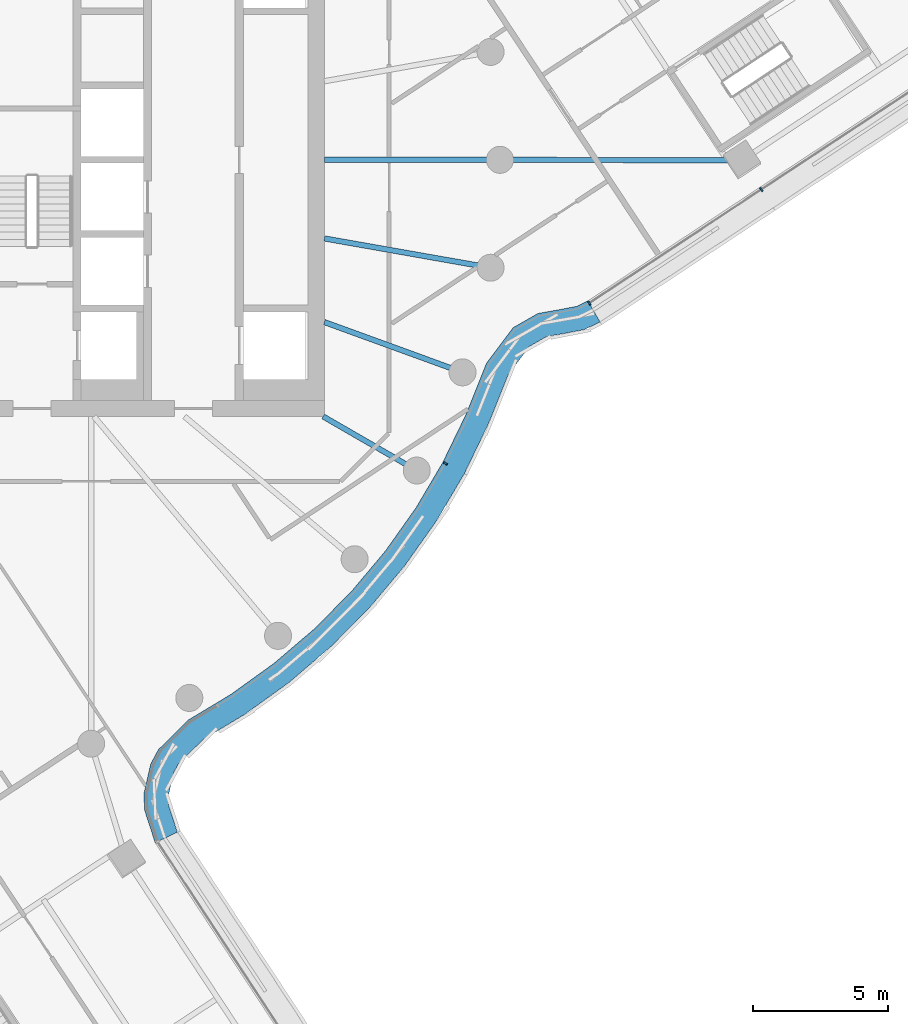
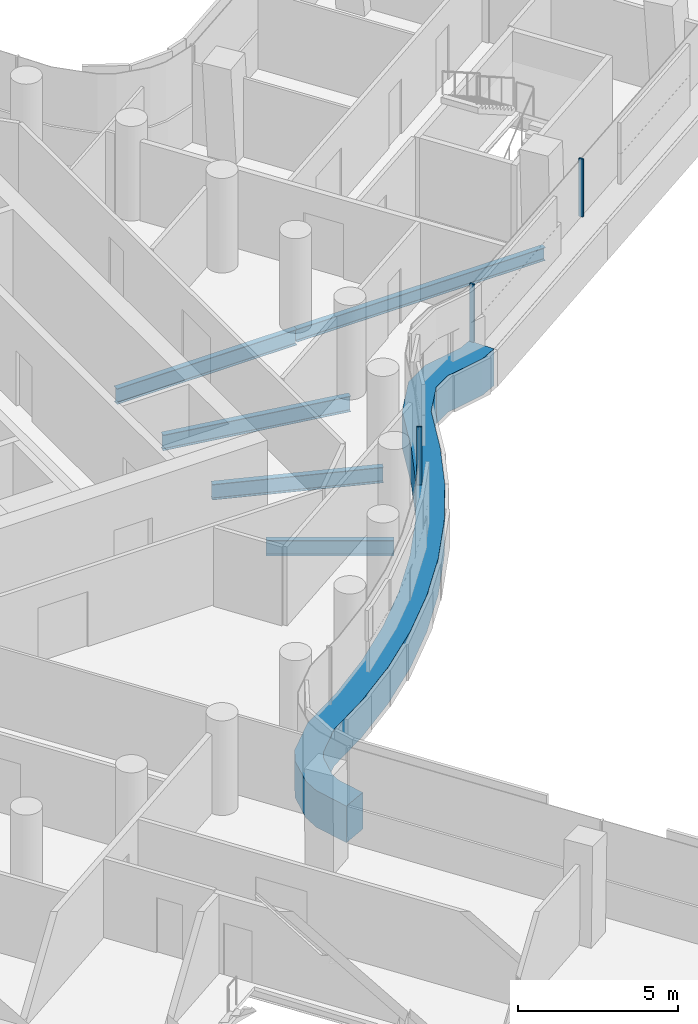
# One storey, part 12 of 35: 5 beams, 4 members, 2 elements without a shape of their own.
"""IFC4 building model written with IfcOpenShell, lengths in metres."""

from ifc_helpers import new_model, si_unit, direction, frame, origin, origin_2d, place, context, subcontext, project, spatial, polyline, rectangle, i_section, outline, extrude, material, layer, layer_set, material_profile, profile_set, type_object, element, aggregate, save


model = new_model("IFC4")

# Units and contexts
model_context = context("Model", 3, precision=1e-05, world=origin(), true_north=direction((0.0, 1.0)))
body_context = subcontext(model_context, "Body", "Model", "MODEL_VIEW")
ifc_project = project(units=[si_unit("LENGTHUNIT", "METRE"), si_unit("AREAUNIT", "SQUARE_METRE"), si_unit("VOLUMEUNIT", "CUBIC_METRE"), si_unit("PLANEANGLEUNIT", "RADIAN"), si_unit("MASSUNIT", "GRAM", prefix="KILO")], contexts=[model_context])

# Site, building, storey
site_placement = place(None, origin())
site = spatial("IfcSite", under=ifc_project, at=site_placement, CompositionType="ELEMENT")
building_placement = place(site_placement, origin())
building = spatial("IfcBuilding", under=site, at=building_placement, Name="Tamarind Cross Interchange Tower", CompositionType="ELEMENT")
storey_placement = place(building_placement, frame((0.0, 0.0, 155.5)))
storey = spatial("IfcBuildingStorey", under=building, at=storey_placement, Name="L38", CompositionType="ELEMENT", Elevation=155.5)

# Beams
ifc_material_1 = material(Name="Steel Q355B", Category="steel")
ifc_material_profile_1 = material_profile(ifc_material_1, i_section(OverallWidth=0.198974609375, OverallDepth=0.49609375, WebThickness=0.009033203125, FlangeThickness=0.013916015625, FilletRadius=0.012939453125, at=origin_2d()), Name="HN 496x199x9x14")
ifc_profile_set_1 = profile_set([ifc_material_profile_1], Name="Steel Q355B")
beam_type_1 = type_object("IfcBeamType", Name="Composite beam HN 496x199x9x14 Q355B", PredefinedType="BEAM", material=ifc_profile_set_1)
beam_1_placement = place(storey_placement, frame((31.956787109375, -0.016845703125, -0.387939453125), z_axis=(-0.999998231347, 0.00188077188, 0.0), x_axis=(-0.00188077188, -0.999998231347, 0.0)))
element("IfcBeam", 1, at=beam_1_placement, inside=storey, type_object=beam_type_1, Name="Beam E-linkem", PredefinedType="BEAM", context=body_context, shape_type="SweptSolid", body=[
    extrude(i_section(OverallWidth=0.198974609375, OverallDepth=0.49609375, WebThickness=0.009033203125, FlangeThickness=0.013916015625, FilletRadius=0.012939453125, at=origin_2d()), origin(), (0.0, 0.0, 1.0), 8.956787109375),
])
ifc_material_profile_2 = material_profile(ifc_material_1, i_section(OverallWidth=0.198974609375, OverallDepth=0.595947265625, WebThickness=0.010009765625, FlangeThickness=0.014892578125, FilletRadius=0.012939453125, at=origin_2d()), Name="HN 596x199x10x15")
ifc_profile_set_2 = profile_set([ifc_material_profile_2], Name="Steel Q355B")
beam_type_2 = type_object("IfcBeamType", Name="Composite beam HN 596x199x10x15 Q355B", PredefinedType="BEAM", material=ifc_profile_set_2)
beam_2_placement = place(storey_placement, frame((23.0, 0.0, -0.43798828125), z_axis=(-1.0, 0.0, 0.0), x_axis=(0.0, -1.0, 0.0)))
element("IfcBeam", 2, at=beam_2_placement, inside=storey, type_object=beam_type_2, Name="Beam HH00", PredefinedType="BEAM", context=body_context, shape_type="SweptSolid", body=[
    extrude(i_section(OverallWidth=0.198974609375, OverallDepth=0.595947265625, WebThickness=0.010009765625, FlangeThickness=0.014892578125, FilletRadius=0.012939453125, at=origin_2d()), origin(), (0.0, 0.0, 1.0), 6.5),
])
beam_3_placement = place(storey_placement, frame((19.918701171875, -11.5, -0.43798828125), z_axis=(-0.866026010844, 0.49999894854, 0.0), x_axis=(-0.49999894854, -0.866026010844, 0.0)))
element("IfcBeam", 3, at=beam_3_placement, inside=storey, type_object=beam_type_2, Name="Beam HH33", PredefinedType="BEAM", context=body_context, shape_type="SweptSolid", body=[
    extrude(i_section(OverallWidth=0.198974609375, OverallDepth=0.595947265625, WebThickness=0.010009765625, FlangeThickness=0.014892578125, FilletRadius=0.012939453125, at=origin_2d()), origin(), (0.0, 0.0, 1.0), 4.0),
])
beam_4_placement = place(storey_placement, frame((21.613037109375, -7.866455078125, -0.43798828125), z_axis=(-0.939701685589, 0.341995236956, 0.0), x_axis=(-0.341995236956, -0.939701685589, 0.0)))
element("IfcBeam", 4, at=beam_4_placement, inside=storey, type_object=beam_type_2, Name="Beam HH34", PredefinedType="BEAM", context=body_context, shape_type="SweptSolid", body=[
    extrude(i_section(OverallWidth=0.198974609375, OverallDepth=0.595947265625, WebThickness=0.010009765625, FlangeThickness=0.014892578125, FilletRadius=0.012939453125, at=origin_2d()), origin(), (0.0, 0.0, 1.0), 5.441162109375),
])
beam_5_placement = place(storey_placement, frame((22.650634765625, -3.993896484375, -0.43798828125), z_axis=(-0.984809127561, 0.173640382036, 0.0), x_axis=(-0.173640382036, -0.984809127561, 0.0)))
element("IfcBeam", 5, at=beam_5_placement, inside=storey, type_object=beam_type_2, Name="Beam HH35", PredefinedType="BEAM", context=body_context, shape_type="SweptSolid", body=[
    extrude(i_section(OverallWidth=0.198974609375, OverallDepth=0.595947265625, WebThickness=0.010009765625, FlangeThickness=0.014892578125, FilletRadius=0.012939453125, at=origin_2d()), origin(), (0.0, 0.0, 1.0), 6.24560546875),
])

# Curtain wall, members
ifc_material_2 = material(Name="Aluminium 6063-T6", Category="aluminium")
ifc_layer = layer(ifc_material_2, 0.159912109375)
ifc_layer_set = layer_set([ifc_layer], Name="Aluminium 6063-T6")
curtain_wall_type = type_object("IfcCurtainWallType", Name="Office curtain wall, 9.0 m bays", PredefinedType="NOTDEFINED", material=ifc_layer_set)
curtain_wall_1_placement = place(storey_placement, origin())
curtain_wall_1 = element("IfcCurtainWall", 6, at=curtain_wall_1_placement, inside=storey, type_object=curtain_wall_type, Name="CWS-L38-10", PredefinedType="NOTDEFINED")
ifc_material_3 = material(Name="Aluminium and insulated spandrel panel", Category="aluminium")
member_type_1 = type_object("IfcMemberType", Name="Floor-edge blade transom", PredefinedType="USERDEFINED", material=ifc_material_3)
member_1_placement = place(storey_placement, origin())
member_1 = element("IfcMember", 7, at=member_1_placement, type_object=member_type_1, Name="CWT-L38-10", ObjectType="TRANSOM", PredefinedType="USERDEFINED", context=body_context, shape_type="SweptSolid", body=[
    extrude(outline(polyline([(10.23828125, -25.28173828125), (9.84521484375, -24.071533203125), (9.818359375, -23.468017578125), (10.07177734375, -22.3603515625), (10.3603515625, -21.8251953125), (11.450927734375, -20.741455078125), (13.04541015625, -19.78125), (14.634521484375, -18.636474609375), (16.12353515625, -17.3642578125), (17.50244140625, -15.973388671875), (18.76171875, -14.4736328125), (19.892822265625, -12.874755859375), (20.88818359375, -11.188232421875), (21.741455078125, -9.423095703125), (22.509033203125, -7.511962890625), (23.486572265625, -6.21044921875), (24.40625, -5.68505859375), (25.266357421875, -5.533447265625), (25.84033203125, -5.42041015625), (26.25732421875, -5.2177734375), (26.703857421875, -6.00146484375), (26.12890625, -6.281005859375), (25.43115234375, -6.418212890625), (24.716796875, -6.544189453125), (24.094482421875, -6.899658203125), (23.2998046875, -7.95751953125), (22.565185546875, -9.787109375), (21.68212890625, -11.613525390625), (20.64892578125, -13.3642578125), (19.474853515625, -15.023681640625), (18.167724609375, -16.580810546875), (16.736572265625, -18.0244140625), (15.19091796875, -19.344970703125), (13.54150390625, -20.533203125), (12.00830078125, -21.45654296875), (11.08935546875, -22.36962890625), (10.922119140625, -22.679931640625), (10.722900390625, -23.550048828125), (10.739013671875, -23.90966796875), (11.056884765625, -24.888671875), (10.23828125, -25.28173828125)])), origin(), (0.0, 0.0, 1.0), 1.39990234375),
])
ifc_material_profile_3 = material_profile(ifc_material_2, rectangle(XDim=0.06005859375, YDim=0.159912109375, at=origin_2d()), Name="Mullion CW1")
ifc_profile_set_3 = profile_set([ifc_material_profile_3], Name="Aluminium 6063-T6")
member_type_2 = type_object("IfcMemberType", Name="Mullion CW1", PredefinedType="MULLION", material=ifc_profile_set_3)
member_2_placement = place(storey_placement, frame((20.9755859375, -11.23681640625, 1.39990234375), z_axis=(0.0, 0.0, 1.0), x_axis=(0.508183308752, 0.861248933065, 0.0)))
member_2 = element("IfcMember", 8, at=member_2_placement, type_object=member_type_2, Name="CWM-L38-10-02", PredefinedType="MULLION", context=body_context, shape_type="SweptSolid", body=[
    extrude(rectangle(XDim=0.06005859375, YDim=0.159912109375, at=origin_2d()), origin(), (0.0, 0.0, 1.0), 2.210205078125),
])
aggregate(curtain_wall_1, [member_2, member_1])

curtain_wall_2_placement = place(storey_placement, origin())
curtain_wall_2 = element("IfcCurtainWall", 9, at=curtain_wall_2_placement, inside=storey, type_object=curtain_wall_type, Name="CWS-L38-11", PredefinedType="NOTDEFINED")
member_3_placement = place(storey_placement, frame((26.306884765625, -5.304931640625, 1.39990234375), z_axis=(0.0, 0.0, 1.0), x_axis=(0.868773295968, 0.495210016269, 0.0)))
member_3 = element("IfcMember", 10, at=member_3_placement, type_object=member_type_2, Name="CWM-L38-11-00", PredefinedType="MULLION", context=body_context, shape_type="SweptSolid", body=[
    extrude(rectangle(XDim=0.06005859375, YDim=0.159912109375, at=origin_2d()), origin(), (0.0, 0.0, 1.0), 2.210205078125),
])
member_4_placement = place(storey_placement, frame((32.674072265625, -1.10107421875, 1.39990234375), z_axis=(0.0, 0.0, 1.0), x_axis=(0.834524900963, 0.550970225759, 0.0)))
member_4 = element("IfcMember", 11, at=member_4_placement, type_object=member_type_2, Name="CWM-L38-11-01", PredefinedType="MULLION", context=body_context, shape_type="SweptSolid", body=[
    extrude(rectangle(XDim=0.06005859375, YDim=0.159912109375, at=origin_2d()), origin(), (0.0, 0.0, 1.0), 2.210205078125),
])
aggregate(curtain_wall_2, [member_3, member_4])

save(model, "model.ifc")
